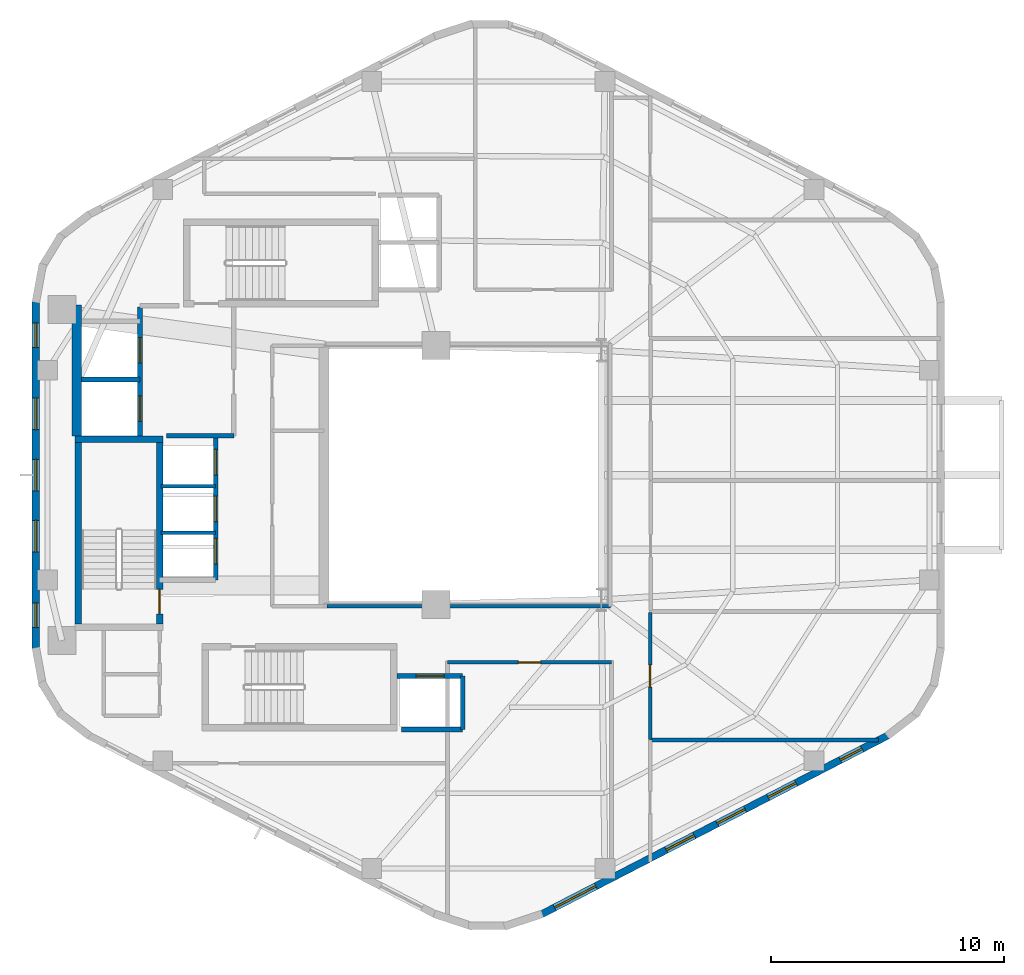
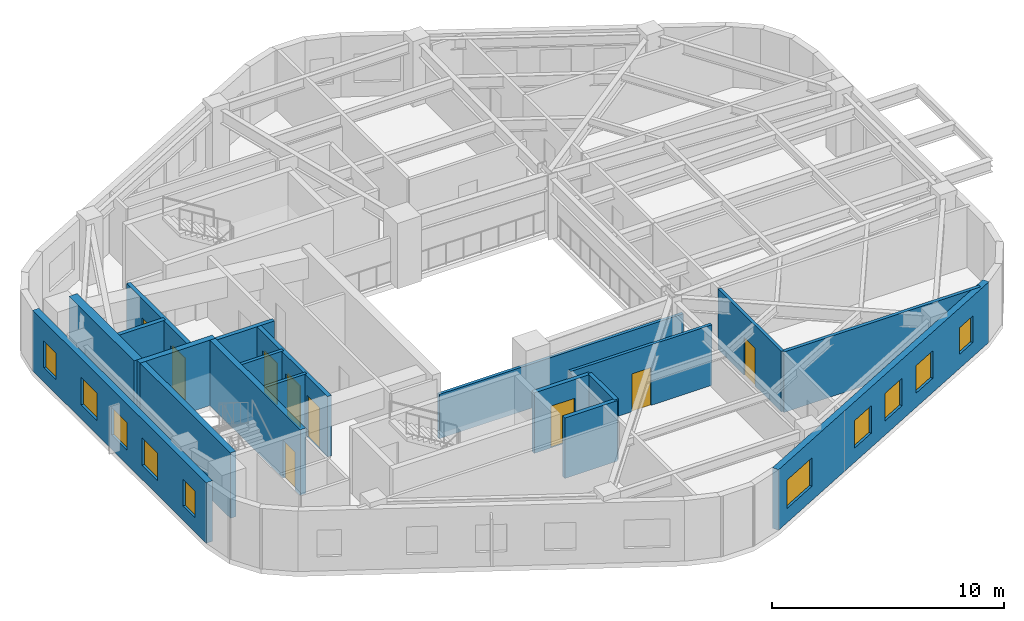
# One storey, part 3 of 6: 19 walls, 10 windows, 9 doors, 19 openings.
"""IFC4 building model written with IfcOpenShell, lengths in metres."""

from ifc_helpers import new_model, si_unit, direction, frame, frame_2d, origin, place, context, subcontext, project, spatial, rectangle, extrude, material, layer, layer_set, type_object, element, fill, save


model = new_model("IFC4")

# Units and contexts
model_context = context("Model", 3, precision=1e-05, world=origin(), true_north=direction((0.0, 1.0)))
body_context = subcontext(model_context, "Body", "Model", "MODEL_VIEW")
ifc_project = project(units=[si_unit("LENGTHUNIT", "METRE"), si_unit("AREAUNIT", "SQUARE_METRE"), si_unit("VOLUMEUNIT", "CUBIC_METRE"), si_unit("PLANEANGLEUNIT", "RADIAN"), si_unit("MASSUNIT", "GRAM", prefix="KILO"), si_unit("THERMODYNAMICTEMPERATUREUNIT", "KELVIN"), si_unit("POWERUNIT", "WATT")], contexts=[model_context])

# Site, building, storey
site_placement = place(None, origin())
site = spatial("IfcSite", under=ifc_project, at=site_placement, CompositionType="ELEMENT")
building_placement = place(site_placement, origin())
building = spatial("IfcBuilding", under=site, at=building_placement, Name="Skarre Station Tower", CompositionType="ELEMENT")
storey_placement = place(building_placement, frame((0.0, 0.0, 210.25)))
storey = spatial("IfcBuildingStorey", under=building, at=storey_placement, Name="L57", CompositionType="ELEMENT", Elevation=210.25)

# Wall
ifc_material_1 = material(Name="Acoustic Steel-Stud Gypsum Partition", Category="steel")
ifc_layer_1 = layer(ifc_material_1, 0.14990234375, Name="Acoustic Steel-Stud Gypsum Partition")
ifc_layer_set_1 = layer_set([ifc_layer_1], Name="Acoustic Steel-Stud Gypsum Partition")
wall_type_1 = type_object("IfcWallType", Name="Fire-Rated Corridor Acoustic Partition 150", PredefinedType="PARTITIONING", material=ifc_layer_set_1)
wall_1_placement = place(storey_placement, frame((27.675048828125, 18.360107421875, 0.0), z_axis=(0.0, 0.0, 1.0), x_axis=(1.0, 0.0, 0.0)))
element("IfcWall", 1, at=wall_1_placement, inside=storey, type_object=wall_type_1, Name="L57 Interior Partition WL-PT-L57-ATRW-S", PredefinedType="PARTITIONING", context=body_context, shape_type="SweptSolid", body=[
    extrude(rectangle(XDim=12.1650390625, YDim=0.14990234375, at=frame_2d((6.08251953125, 0.0))), origin(), (0.0, 0.0, 1.0), 2.3310546875),
])

# Wall, opening, door
wall_2_placement = place(storey_placement, frame((32.85009765625, 15.9599609375, 0.0), z_axis=(0.0, 0.0, 1.0), x_axis=(1.0, 0.0, 0.0)))
wall_2 = element("IfcWall", 2, at=wall_2_placement, inside=storey, type_object=wall_type_1, Name="L57 Interior Partition WL-PT-L57-SWC1-CW", PredefinedType="PARTITIONING", context=body_context, shape_type="SweptSolid", body=[
    extrude(rectangle(XDim=7.02978515625, YDim=0.14990234375, at=frame_2d((3.514892578125, 0.0))), origin(), (0.0, 0.0, 1.0), 3.18994140625),
])
opening_1_placement = place(wall_2_placement, frame((3.034912109375, 0.0, 0.0)))
opening_1 = element("IfcOpeningElement", 3, at=opening_1_placement, cuts=wall_2, Name="Opening DR-FD60", PredefinedType="OPENING", context=body_context, shape_type="SweptSolid", body=[
    extrude(rectangle(XDim=0.9599609375, YDim=2.0, at=frame_2d((0.47998046875, 1.0))), frame((0.0, 0.0849609375, 0.0), z_axis=(0.0, -1.0, 0.0), x_axis=(1.0, 0.0, 0.0)), (0.0, 0.0, 1.0), 0.169921875),
])
ifc_material_2 = material(Name="Nordic White-Oak Veneer Solid-Core Fire Leaf", Category="wood")
door_type_1 = type_object("IfcDoorType", Name="Corridor Suite Entry Fire Door FD60 960x2150", OperationType="SINGLE_SWING_LEFT", PredefinedType="DOOR", material=ifc_material_2)
door_1_placement = place(opening_1_placement, origin())
door_1 = element("IfcDoor", 4, at=door_1_placement, inside=storey, type_object=door_type_1, Name="L57 SWC1 Entry Door", OperationType="SINGLE_SWING_LEFT", OverallHeight=2.0, OverallWidth=0.9599609375, PredefinedType="DOOR", context=body_context, shape_type="SweptSolid", body=[
    extrude(rectangle(XDim=0.9599609375, YDim=2.0, at=frame_2d((0.47998046875, 1.0))), frame((0.0, 0.02490234375, 0.0), z_axis=(0.0, -1.0, 0.0), x_axis=(1.0, 0.0, 0.0)), (0.0, 0.0, 1.0), 0.050048828125),
])
fill(opening_1, door_1)

wall_3_placement = place(storey_placement, frame((41.5400390625, 12.653076171875, 0.0), z_axis=(0.0, 0.0, 1.0), x_axis=(0.0, 1.0, 0.0)))
wall_3 = element("IfcWall", 5, at=wall_3_placement, inside=storey, type_object=wall_type_1, Name="L57 Interior Partition WL-PT-L57-SW2-CW", PredefinedType="PARTITIONING", context=body_context, shape_type="SweptSolid", body=[
    extrude(rectangle(XDim=5.447021484375, YDim=0.14990234375, at=frame_2d((2.7236328125, 0.0))), origin(), (0.0, 0.0, 1.0), 3.18994140625),
])
opening_2_placement = place(wall_3_placement, frame((2.243896484375, 0.0, 0.0)))
opening_2 = element("IfcOpeningElement", 6, at=opening_2_placement, cuts=wall_3, Name="Opening DR-FD60", PredefinedType="OPENING", context=body_context, shape_type="SweptSolid", body=[
    extrude(rectangle(XDim=0.9599609375, YDim=2.0, at=frame_2d((0.47998046875, 1.0))), frame((0.0, 0.0849609375, 0.0), z_axis=(0.0, -1.0, 0.0), x_axis=(1.0, 0.0, 0.0)), (0.0, 0.0, 1.0), 0.169921875),
])
door_2_placement = place(opening_2_placement, origin())
door_2 = element("IfcDoor", 7, at=door_2_placement, inside=storey, type_object=door_type_1, Name="L57 SW2 Entry Door", OperationType="SINGLE_SWING_LEFT", OverallHeight=2.0, OverallWidth=0.9599609375, PredefinedType="DOOR", context=body_context, shape_type="SweptSolid", body=[
    extrude(rectangle(XDim=0.9599609375, YDim=2.0, at=frame_2d((0.47998046875, 1.0))), frame((0.0, 0.02490234375, 0.0), z_axis=(0.0, -1.0, 0.0), x_axis=(1.0, 0.0, 0.0)), (0.0, 0.0, 1.0), 0.050048828125),
])
fill(opening_2, door_2)

# Wall, openings, windows
ifc_material_3 = material(Name="Precast concrete C45/55", Category="concrete")
ifc_layer_2 = layer(ifc_material_3, 0.31005859375, Name="Precast concrete C45/55")
ifc_layer_set_2 = layer_set([ifc_layer_2], Name="Precast concrete C45/55")
wall_type_2 = type_object("IfcWallType", Name="Nordic Upper-Zone Precast Facet Wall 310", PredefinedType="STANDARD", material=ifc_layer_set_2)
wall_4_placement = place(storey_placement, frame((15.18310546875, 16.498046875, 0.0), z_axis=(0.0, 0.0, 1.0), x_axis=(0.0, 1.0, 0.0)))
wall_4 = element("IfcWall", 8, at=wall_4_placement, inside=storey, type_object=wall_type_2, Name="L57 Facet 2 Nordic Precast Masonry Wall", PredefinedType="STANDARD", context=body_context, shape_type="SweptSolid", body=[
    extrude(rectangle(XDim=15.00390625, YDim=0.31005859375, at=frame_2d((7.501953125, 0.0))), origin(), (0.0, 0.0, 1.0), 3.18994140625),
])
opening_3_placement = place(wall_4_placement, frame((0.968017578125, 0.0, 0.75)))
opening_3 = element("IfcOpeningElement", 9, at=opening_3_placement, cuts=wall_4, Name="Opening WN-SLT", PredefinedType="OPENING", context=body_context, shape_type="SweptSolid", body=[
    extrude(rectangle(XDim=1.050048828125, YDim=1.39990234375, at=frame_2d((0.52490234375, 0.699951171875))), frame((0.0, 0.1650390625, 0.0), z_axis=(0.0, -1.0, 0.0), x_axis=(1.0, 0.0, 0.0)), (0.0, 0.0, 1.0), 0.330078125),
])
opening_4_placement = place(wall_4_placement, frame((4.202880859375, 0.0, 0.75)))
opening_4 = element("IfcOpeningElement", 10, at=opening_4_placement, cuts=wall_4, Name="Opening WN-Z3B", PredefinedType="OPENING", context=body_context, shape_type="SweptSolid", body=[
    extrude(rectangle(XDim=1.35009765625, YDim=1.449951171875, at=frame_2d((0.675048828125, 0.72509765625))), frame((0.0, 0.1650390625, 0.0), z_axis=(0.0, -1.0, 0.0), x_axis=(1.0, 0.0, 0.0)), (0.0, 0.0, 1.0), 0.330078125),
])
opening_5_placement = place(wall_4_placement, frame((6.826904296875, 0.0, 0.75)))
opening_5 = element("IfcOpeningElement", 11, at=opening_5_placement, cuts=wall_4, Name="Opening WN-Z3B", PredefinedType="OPENING", context=body_context, shape_type="SweptSolid", body=[
    extrude(rectangle(XDim=1.35009765625, YDim=1.449951171875, at=frame_2d((0.675048828125, 0.72509765625))), frame((0.0, 0.1650390625, 0.0), z_axis=(0.0, -1.0, 0.0), x_axis=(1.0, 0.0, 0.0)), (0.0, 0.0, 1.0), 0.330078125),
])
opening_6_placement = place(wall_4_placement, frame((9.450927734375, 0.0, 0.75)))
opening_6 = element("IfcOpeningElement", 12, at=opening_6_placement, cuts=wall_4, Name="Opening WN-Z3B", PredefinedType="OPENING", context=body_context, shape_type="SweptSolid", body=[
    extrude(rectangle(XDim=1.35009765625, YDim=1.449951171875, at=frame_2d((0.675048828125, 0.72509765625))), frame((0.0, 0.1650390625, 0.0), z_axis=(0.0, -1.0, 0.0), x_axis=(1.0, 0.0, 0.0)), (0.0, 0.0, 1.0), 0.330078125),
])
opening_7_placement = place(wall_4_placement, frame((12.986083984375, 0.0, 0.75)))
opening_7 = element("IfcOpeningElement", 13, at=opening_7_placement, cuts=wall_4, Name="Opening WN-SLT", PredefinedType="OPENING", context=body_context, shape_type="SweptSolid", body=[
    extrude(rectangle(XDim=1.050048828125, YDim=1.39990234375, at=frame_2d((0.52490234375, 0.699951171875))), frame((0.0, 0.1650390625, 0.0), z_axis=(0.0, -1.0, 0.0), x_axis=(1.0, 0.0, 0.0)), (0.0, 0.0, 1.0), 0.330078125),
])
ifc_material_4 = material(Name="Low-Iron Triple Glazing with Bronze Anodized Frame", Category="glass")
window_type_1 = type_object("IfcWindowType", Name="Nordic Corner Slot Window 1050x1400", PartitioningType="SINGLE_PANEL", PredefinedType="WINDOW", material=ifc_material_4)
window_1_placement = place(opening_3_placement, origin())
window_1 = element("IfcWindow", 14, at=window_1_placement, inside=storey, type_object=window_type_1, Name="L57 Facade Window WL-FAC-L57-F2-1", OverallHeight=1.39990234375, OverallWidth=1.050048828125, PartitioningType="SINGLE_PANEL", PredefinedType="WINDOW", context=body_context, shape_type="SweptSolid", body=[
    extrude(rectangle(XDim=1.050048828125, YDim=1.39990234375, at=frame_2d((0.52490234375, 0.699951171875))), frame((0.0, 0.030029296875, 0.0), z_axis=(0.0, -1.0, 0.0), x_axis=(1.0, 0.0, 0.0)), (0.0, 0.0, 1.0), 0.06005859375),
])
fill(opening_3, window_1)
window_2_placement = place(opening_7_placement, origin())
window_2 = element("IfcWindow", 15, at=window_2_placement, inside=storey, type_object=window_type_1, Name="L57 Facade Window WL-FAC-L57-F2-5", OverallHeight=1.39990234375, OverallWidth=1.050048828125, PartitioningType="SINGLE_PANEL", PredefinedType="WINDOW", context=body_context, shape_type="SweptSolid", body=[
    extrude(rectangle(XDim=1.050048828125, YDim=1.39990234375, at=frame_2d((0.52490234375, 0.699951171875))), frame((0.0, 0.030029296875, 0.0), z_axis=(0.0, -1.0, 0.0), x_axis=(1.0, 0.0, 0.0)), (0.0, 0.0, 1.0), 0.06005859375),
])
fill(opening_7, window_2)
window_type_2 = type_object("IfcWindowType", Name="Nordic Hospitality Narrow Window 1350x1450", PartitioningType="SINGLE_PANEL", PredefinedType="WINDOW", material=ifc_material_4)
window_3_placement = place(opening_4_placement, origin())
window_3 = element("IfcWindow", 16, at=window_3_placement, inside=storey, type_object=window_type_2, Name="L57 Facade Window WL-FAC-L57-F2-2", OverallHeight=1.449951171875, OverallWidth=1.35009765625, PartitioningType="SINGLE_PANEL", PredefinedType="WINDOW", context=body_context, shape_type="SweptSolid", body=[
    extrude(rectangle(XDim=1.35009765625, YDim=1.449951171875, at=frame_2d((0.675048828125, 0.72509765625))), frame((0.0, 0.030029296875, 0.0), z_axis=(0.0, -1.0, 0.0), x_axis=(1.0, 0.0, 0.0)), (0.0, 0.0, 1.0), 0.06005859375),
])
fill(opening_4, window_3)
window_4_placement = place(opening_5_placement, origin())
window_4 = element("IfcWindow", 17, at=window_4_placement, inside=storey, type_object=window_type_2, Name="L57 Facade Window WL-FAC-L57-F2-3", OverallHeight=1.449951171875, OverallWidth=1.35009765625, PartitioningType="SINGLE_PANEL", PredefinedType="WINDOW", context=body_context, shape_type="SweptSolid", body=[
    extrude(rectangle(XDim=1.35009765625, YDim=1.449951171875, at=frame_2d((0.675048828125, 0.72509765625))), frame((0.0, 0.030029296875, 0.0), z_axis=(0.0, -1.0, 0.0), x_axis=(1.0, 0.0, 0.0)), (0.0, 0.0, 1.0), 0.06005859375),
])
fill(opening_5, window_4)
window_5_placement = place(opening_6_placement, origin())
window_5 = element("IfcWindow", 18, at=window_5_placement, inside=storey, type_object=window_type_2, Name="L57 Facade Window WL-FAC-L57-F2-4", OverallHeight=1.449951171875, OverallWidth=1.35009765625, PartitioningType="SINGLE_PANEL", PredefinedType="WINDOW", context=body_context, shape_type="SweptSolid", body=[
    extrude(rectangle(XDim=1.35009765625, YDim=1.449951171875, at=frame_2d((0.675048828125, 0.72509765625))), frame((0.0, 0.030029296875, 0.0), z_axis=(0.0, -1.0, 0.0), x_axis=(1.0, 0.0, 0.0)), (0.0, 0.0, 1.0), 0.06005859375),
])
fill(opening_6, window_5)

wall_5_placement = place(storey_placement, frame((51.7919921875, 12.846923828125, 0.0), z_axis=(0.0, 0.0, 1.0), x_axis=(-0.888626188278, -0.458632202867, 0.0)))
wall_5 = element("IfcWall", 19, at=wall_5_placement, inside=storey, type_object=wall_type_2, Name="L57 Facet 4 Nordic Precast Masonry Wall", PredefinedType="STANDARD", context=body_context, shape_type="SweptSolid", body=[
    extrude(rectangle(XDim=16.828369140625, YDim=0.31005859375, at=frame_2d((8.4140625, 0.0))), origin(), (0.0, 0.0, 1.0), 3.18994140625),
])
opening_8_placement = place(wall_5_placement, frame((1.300048828125, 0.0, 0.75)))
opening_8 = element("IfcOpeningElement", 20, at=opening_8_placement, cuts=wall_5, Name="Opening WN-SLT", PredefinedType="OPENING", context=body_context, shape_type="SweptSolid", body=[
    extrude(rectangle(XDim=1.050048828125, YDim=1.39990234375, at=frame_2d((0.52490234375, 0.699951171875))), frame((0.0, 0.1650390625, 0.0), z_axis=(0.0, -1.0, 0.0), x_axis=(1.0, 0.0, 0.0)), (0.0, 0.0, 1.0), 0.330078125),
])
opening_9_placement = place(wall_5_placement, frame((4.486083984375, 0.0, 0.75)))
opening_9 = element("IfcOpeningElement", 21, at=opening_9_placement, cuts=wall_5, Name="Opening WN-Z3B", PredefinedType="OPENING", context=body_context, shape_type="SweptSolid", body=[
    extrude(rectangle(XDim=1.35009765625, YDim=1.449951171875, at=frame_2d((0.675048828125, 0.72509765625))), frame((0.0, 0.1650390625, 0.0), z_axis=(0.0, -1.0, 0.0), x_axis=(1.0, 0.0, 0.0)), (0.0, 0.0, 1.0), 0.330078125),
])
opening_10_placement = place(wall_5_placement, frame((6.946044921875, 0.0, 0.75)))
opening_10 = element("IfcOpeningElement", 22, at=opening_10_placement, cuts=wall_5, Name="Opening WN-Z3B", PredefinedType="OPENING", context=body_context, shape_type="SweptSolid", body=[
    extrude(rectangle(XDim=1.35009765625, YDim=1.449951171875, at=frame_2d((0.675048828125, 0.72509765625))), frame((0.0, 0.1650390625, 0.0), z_axis=(0.0, -1.0, 0.0), x_axis=(1.0, 0.0, 0.0)), (0.0, 0.0, 1.0), 0.330078125),
])
opening_11_placement = place(wall_5_placement, frame((9.406005859375, 0.0, 0.75)))
opening_11 = element("IfcOpeningElement", 23, at=opening_11_placement, cuts=wall_5, Name="Opening WN-Z3B", PredefinedType="OPENING", context=body_context, shape_type="SweptSolid", body=[
    extrude(rectangle(XDim=1.35009765625, YDim=1.449951171875, at=frame_2d((0.675048828125, 0.72509765625))), frame((0.0, 0.1650390625, 0.0), z_axis=(0.0, -1.0, 0.0), x_axis=(1.0, 0.0, 0.0)), (0.0, 0.0, 1.0), 0.330078125),
])
opening_12_placement = place(wall_5_placement, frame((14.153076171875, 0.0, 0.75)))
opening_12 = element("IfcOpeningElement", 24, at=opening_12_placement, cuts=wall_5, Name="Opening WN-Z3A", PredefinedType="OPENING", context=body_context, shape_type="SweptSolid", body=[
    extrude(rectangle(XDim=2.0, YDim=1.5, at=frame_2d((1.0, 0.75))), frame((0.0, 0.1650390625, 0.0), z_axis=(0.0, -1.0, 0.0), x_axis=(1.0, 0.0, 0.0)), (0.0, 0.0, 1.0), 0.330078125),
])
window_6_placement = place(opening_8_placement, origin())
window_6 = element("IfcWindow", 25, at=window_6_placement, inside=storey, type_object=window_type_1, Name="L57 Facade Window WL-FAC-L57-F4-1", OverallHeight=1.39990234375, OverallWidth=1.050048828125, PartitioningType="SINGLE_PANEL", PredefinedType="WINDOW", context=body_context, shape_type="SweptSolid", body=[
    extrude(rectangle(XDim=1.050048828125, YDim=1.39990234375, at=frame_2d((0.52490234375, 0.699951171875))), frame((0.0, 0.030029296875, 0.0), z_axis=(0.0, -1.0, 0.0), x_axis=(1.0, 0.0, 0.0)), (0.0, 0.0, 1.0), 0.06005859375),
])
fill(opening_8, window_6)
window_7_placement = place(opening_9_placement, origin())
window_7 = element("IfcWindow", 26, at=window_7_placement, inside=storey, type_object=window_type_2, Name="L57 Facade Window WL-FAC-L57-F4-2", OverallHeight=1.449951171875, OverallWidth=1.35009765625, PartitioningType="SINGLE_PANEL", PredefinedType="WINDOW", context=body_context, shape_type="SweptSolid", body=[
    extrude(rectangle(XDim=1.35009765625, YDim=1.449951171875, at=frame_2d((0.675048828125, 0.72509765625))), frame((0.0, 0.030029296875, 0.0), z_axis=(0.0, -1.0, 0.0), x_axis=(1.0, 0.0, 0.0)), (0.0, 0.0, 1.0), 0.06005859375),
])
fill(opening_9, window_7)
window_8_placement = place(opening_10_placement, origin())
window_8 = element("IfcWindow", 27, at=window_8_placement, inside=storey, type_object=window_type_2, Name="L57 Facade Window WL-FAC-L57-F4-3", OverallHeight=1.449951171875, OverallWidth=1.35009765625, PartitioningType="SINGLE_PANEL", PredefinedType="WINDOW", context=body_context, shape_type="SweptSolid", body=[
    extrude(rectangle(XDim=1.35009765625, YDim=1.449951171875, at=frame_2d((0.675048828125, 0.72509765625))), frame((0.0, 0.030029296875, 0.0), z_axis=(0.0, -1.0, 0.0), x_axis=(1.0, 0.0, 0.0)), (0.0, 0.0, 1.0), 0.06005859375),
])
fill(opening_10, window_8)
window_9_placement = place(opening_11_placement, origin())
window_9 = element("IfcWindow", 28, at=window_9_placement, inside=storey, type_object=window_type_2, Name="L57 Facade Window WL-FAC-L57-F4-4", OverallHeight=1.449951171875, OverallWidth=1.35009765625, PartitioningType="SINGLE_PANEL", PredefinedType="WINDOW", context=body_context, shape_type="SweptSolid", body=[
    extrude(rectangle(XDim=1.35009765625, YDim=1.449951171875, at=frame_2d((0.675048828125, 0.72509765625))), frame((0.0, 0.030029296875, 0.0), z_axis=(0.0, -1.0, 0.0), x_axis=(1.0, 0.0, 0.0)), (0.0, 0.0, 1.0), 0.06005859375),
])
fill(opening_11, window_9)
window_type_3 = type_object("IfcWindowType", Name="Nordic Hospitality Window 2000x1500", PartitioningType="SINGLE_PANEL", PredefinedType="WINDOW", material=ifc_material_4)
window_10_placement = place(opening_12_placement, origin())
window_10 = element("IfcWindow", 29, at=window_10_placement, inside=storey, type_object=window_type_3, Name="L57 Facade Window WL-FAC-L57-F4-5", OverallHeight=1.5, OverallWidth=2.0, PartitioningType="SINGLE_PANEL", PredefinedType="WINDOW", context=body_context, shape_type="SweptSolid", body=[
    extrude(rectangle(XDim=2.0, YDim=1.5, at=frame_2d((1.0, 0.75))), frame((0.0, 0.030029296875, 0.0), z_axis=(0.0, -1.0, 0.0), x_axis=(1.0, 0.0, 0.0)), (0.0, 0.0, 1.0), 0.06005859375),
])
fill(opening_12, window_10)

# Walls
ifc_material_5 = material(Name="Concrete C50/60", Category="concrete")
ifc_layer_3 = layer(ifc_material_5, 0.280029296875, Name="Concrete C50/60")
ifc_layer_set_3 = layer_set([ifc_layer_3], Name="Concrete C50/60")
wall_type_3 = type_object("IfcWallType", Name="RC Core Shear Wall 280", PredefinedType="SHEAR", material=ifc_layer_set_3)
wall_6_placement = place(storey_placement, frame((20.6298828125, 25.5400390625, 0.0), z_axis=(0.0, 0.0, 1.0), x_axis=(-1.0, 0.0, 0.0)))
element("IfcWall", 30, at=wall_6_placement, inside=storey, type_object=wall_type_3, Name="L57 Stair ST-1 North Shear Wall", PredefinedType="SHEAR", context=body_context, shape_type="SweptSolid", body=[
    extrude(rectangle(XDim=3.759765625, YDim=0.280029296875, at=frame_2d((1.8798828125, 0.0))), origin(), (0.0, 0.0, 1.0), 3.449951171875),
])
wall_7_placement = place(storey_placement, frame((17.010009765625, 25.39990234375, 0.0), z_axis=(0.0, 0.0, 1.0), x_axis=(0.0, -1.0, 0.0)))
element("IfcWall", 31, at=wall_7_placement, inside=storey, type_object=wall_type_3, Name="L57 Stair ST-1 West Shear Wall", PredefinedType="SHEAR", context=body_context, shape_type="SweptSolid", body=[
    extrude(rectangle(XDim=7.7998046875, YDim=0.280029296875, at=frame_2d((3.89990234375, 0.0))), origin(), (0.0, 0.0, 1.0), 3.449951171875),
])

# Wall, opening, door
wall_8_placement = place(storey_placement, frame((20.489990234375, 17.60009765625, 0.0), z_axis=(0.0, 0.0, 1.0), x_axis=(0.0, 1.0, 0.0)))
wall_8 = element("IfcWall", 32, at=wall_8_placement, inside=storey, type_object=wall_type_3, Name="L57 Stair ST-1 East Shear Wall", PredefinedType="SHEAR", context=body_context, shape_type="SweptSolid", body=[
    extrude(rectangle(XDim=7.7998046875, YDim=0.280029296875, at=frame_2d((3.89990234375, 0.0))), origin(), (0.0, 0.0, 1.0), 3.449951171875),
])
opening_13_placement = place(wall_8_placement, frame((0.43994140625, 0.0, 0.0)))
opening_13 = element("IfcOpeningElement", 33, at=opening_13_placement, cuts=wall_8, Name="Opening DR-FD90", PredefinedType="OPENING", context=body_context, shape_type="SweptSolid", body=[
    extrude(rectangle(XDim=1.050048828125, YDim=2.0, at=frame_2d((0.52490234375, 1.0))), frame((0.0, 0.14990234375, 0.0), z_axis=(0.0, -1.0, 0.0), x_axis=(1.0, 0.0, 0.0)), (0.0, 0.0, 1.0), 0.300048828125),
])
ifc_material_6 = material(Name="Fire-Rated Insulated Steel Frame & Timber Core Leaf", Category="steel")
door_type_2 = type_object("IfcDoorType", Name="Stair & FSAE Lobby Fire Door FD90 1050x2150", OperationType="SINGLE_SWING_RIGHT", PredefinedType="DOOR", material=ifc_material_6)
door_3_placement = place(opening_13_placement, origin())
door_3 = element("IfcDoor", 34, at=door_3_placement, inside=storey, type_object=door_type_2, Name="L57 Stair ST-1 Exit Door", OperationType="SINGLE_SWING_RIGHT", OverallHeight=2.0, OverallWidth=1.050048828125, PredefinedType="DOOR", context=body_context, shape_type="SweptSolid", body=[
    extrude(rectangle(XDim=1.050048828125, YDim=2.0, at=frame_2d((0.52490234375, 1.0))), frame((0.0, 0.02490234375, 0.0), z_axis=(0.0, -1.0, 0.0), x_axis=(1.0, 0.0, 0.0)), (0.0, 0.0, 1.0), 0.050048828125),
])
fill(opening_13, door_3)

# Wall
ifc_material_7 = material(Name="Concrete C60/75", Category="concrete")
ifc_layer_4 = layer(ifc_material_7, 0.419921875, Name="Concrete C60/75")
ifc_layer_set_4 = layer_set([ifc_layer_4], Name="Concrete C60/75")
wall_type_4 = type_object("IfcWallType", Name="RC Core Shear Wall 420", PredefinedType="SHEAR", material=ifc_layer_set_4)
wall_9_placement = place(storey_placement, frame((16.93994140625, 25.679931640625, 0.0), z_axis=(0.0, 0.0, 1.0), x_axis=(0.0, 1.0, 0.0)))
element("IfcWall", 35, at=wall_9_placement, inside=storey, type_object=wall_type_4, Name="L57 Core West-North Shear Wall", PredefinedType="SHEAR", context=body_context, shape_type="SweptSolid", body=[
    extrude(rectangle(XDim=5.6201171875, YDim=0.419921875, at=frame_2d((2.81005859375, 0.0))), origin(), (0.0, 0.0, 1.0), 3.449951171875),
])

# Wall, openings, doors
ifc_material_8 = material(Name="Gypsum Concrete Shaft Assembly C30/37", Category="concrete")
ifc_layer_5 = layer(ifc_material_8, 0.199951171875, Name="Gypsum Concrete Shaft Assembly C30/37")
ifc_layer_set_5 = layer_set([ifc_layer_5], Name="Gypsum Concrete Shaft Assembly C30/37")
wall_type_5 = type_object("IfcWallType", Name="Shaft & Core Fire Partition 200", PredefinedType="PARTITIONING", material=ifc_layer_set_5)
wall_10_placement = place(storey_placement, frame((19.64990234375, 25.679931640625, 0.0), z_axis=(0.0, 0.0, 1.0), x_axis=(0.0, 1.0, 0.0)))
wall_10 = element("IfcWall", 36, at=wall_10_placement, inside=storey, type_object=wall_type_5, Name="L57 Interior Partition WL-PT-L57-FSAE-W", PredefinedType="PARTITIONING", context=body_context, shape_type="SweptSolid", body=[
    extrude(rectangle(XDim=5.5400390625, YDim=0.199951171875, at=frame_2d((2.77001953125, 0.0))), origin(), (0.0, 0.0, 1.0), 3.18994140625),
])
opening_14_placement = place(wall_10_placement, frame((0.6201171875, 0.0, 0.0)))
opening_14 = element("IfcOpeningElement", 37, at=opening_14_placement, cuts=wall_10, Name="Opening LD-FF1", PredefinedType="OPENING", context=body_context, shape_type="SweptSolid", body=[
    extrude(rectangle(XDim=1.10009765625, YDim=2.199951171875, at=frame_2d((0.550048828125, 1.10009765625))), frame((0.0, 0.10986328125, 0.0), z_axis=(0.0, -1.0, 0.0), x_axis=(1.0, 0.0, 0.0)), (0.0, 0.0, 1.0), 0.219970703125),
])
opening_15_placement = place(wall_10_placement, frame((3.1201171875, 0.0, 0.0)))
opening_15 = element("IfcOpeningElement", 38, at=opening_15_placement, cuts=wall_10, Name="Opening LD-FF2", PredefinedType="OPENING", context=body_context, shape_type="SweptSolid", body=[
    extrude(rectangle(XDim=1.10009765625, YDim=2.199951171875, at=frame_2d((0.550048828125, 1.10009765625))), frame((0.0, 0.10986328125, 0.0), z_axis=(0.0, -1.0, 0.0), x_axis=(1.0, 0.0, 0.0)), (0.0, 0.0, 1.0), 0.219970703125),
])
ifc_material_9 = material(Name="Fire-Rated Stainless Steel Grade 316L Sliding Leaves", Category="steel")
door_type_3 = type_object("IfcDoorType", Name="Fire Service Access Elevator Sliding Landing Door 1100x2200", OperationType="SLIDING_TO_LEFT", PredefinedType="DOOR", material=ifc_material_9)
door_4_placement = place(opening_14_placement, origin())
door_4 = element("IfcDoor", 39, at=door_4_placement, inside=storey, type_object=door_type_3, Name="L57 Firefighting Lift LF-FF1 Landing Door", OperationType="SLIDING_TO_LEFT", OverallHeight=2.199951171875, OverallWidth=1.10009765625, PredefinedType="DOOR", context=body_context, shape_type="SweptSolid", body=[
    extrude(rectangle(XDim=1.10009765625, YDim=2.199951171875, at=frame_2d((0.550048828125, 1.10009765625))), frame((0.0, 0.02490234375, 0.0), z_axis=(0.0, -1.0, 0.0), x_axis=(1.0, 0.0, 0.0)), (0.0, 0.0, 1.0), 0.050048828125),
])
fill(opening_14, door_4)
door_5_placement = place(opening_15_placement, origin())
door_5 = element("IfcDoor", 40, at=door_5_placement, inside=storey, type_object=door_type_3, Name="L57 Firefighting Lift LF-FF2 Landing Door", OperationType="SLIDING_TO_LEFT", OverallHeight=2.199951171875, OverallWidth=1.10009765625, PredefinedType="DOOR", context=body_context, shape_type="SweptSolid", body=[
    extrude(rectangle(XDim=1.10009765625, YDim=2.199951171875, at=frame_2d((0.550048828125, 1.10009765625))), frame((0.0, 0.02490234375, 0.0), z_axis=(0.0, -1.0, 0.0), x_axis=(1.0, 0.0, 0.0)), (0.0, 0.0, 1.0), 0.050048828125),
])
fill(opening_15, door_5)

# Walls
wall_11_placement = place(storey_placement, frame((20.79296875, 25.679931640625, 0.0), z_axis=(0.0, 0.0, 1.0), x_axis=(1.0, 0.0, 0.0)))
element("IfcWall", 41, at=wall_11_placement, inside=storey, type_object=wall_type_5, Name="L57 Interior Partition WL-PT-L57-FSAE-S", PredefinedType="PARTITIONING", context=body_context, shape_type="SweptSolid", body=[
    extrude(rectangle(XDim=2.886962890625, YDim=0.199951171875, at=frame_2d((1.443359375, 0.0))), origin(), (0.0, 0.0, 1.0), 3.18994140625),
])
wall_12_placement = place(storey_placement, frame((17.14990234375, 28.10009765625, 0.0), z_axis=(0.0, 0.0, 1.0), x_axis=(1.0, 0.0, 0.0)))
element("IfcWall", 42, at=wall_12_placement, inside=storey, type_object=wall_type_5, Name="L57 Interior Partition WL-PT-L57-FF-DIV", PredefinedType="PARTITIONING", context=body_context, shape_type="SweptSolid", body=[
    extrude(rectangle(XDim=2.5, YDim=0.199951171875, at=frame_2d((1.25, 0.0))), origin(), (0.0, 0.0, 1.0), 3.18994140625),
])

# Wall, opening, door
wall_13_placement = place(storey_placement, frame((33.5, 15.3798828125, 0.0), z_axis=(0.0, 0.0, 1.0), x_axis=(-1.0, 0.0, 0.0)))
wall_13 = element("IfcWall", 43, at=wall_13_placement, inside=storey, type_object=wall_type_5, Name="L57 Interior Partition WL-PT-L57-SV1-N", PredefinedType="PARTITIONING", context=body_context, shape_type="SweptSolid", body=[
    extrude(rectangle(XDim=2.820068359375, YDim=0.199951171875, at=frame_2d((1.41015625, 0.0))), origin(), (0.0, 0.0, 1.0), 3.18994140625),
])
opening_16_placement = place(wall_13_placement, frame((0.800048828125, 0.0, 0.0)))
opening_16 = element("IfcOpeningElement", 44, at=opening_16_placement, cuts=wall_13, Name="Opening LD-SV1", PredefinedType="OPENING", context=body_context, shape_type="SweptSolid", body=[
    extrude(rectangle(XDim=1.199951171875, YDim=2.199951171875, at=frame_2d((0.60009765625, 1.10009765625))), frame((0.0, 0.10986328125, 0.0), z_axis=(0.0, -1.0, 0.0), x_axis=(1.0, 0.0, 0.0)), (0.0, 0.0, 1.0), 0.219970703125),
])
ifc_material_10 = material(Name="Heavy-Gauge Brushed Stainless Steel Sliding Leaves", Category="steel")
door_type_4 = type_object("IfcDoorType", Name="Service Elevator Wide Sliding Landing Door 1200x2200", OperationType="SLIDING_TO_RIGHT", PredefinedType="DOOR", material=ifc_material_10)
door_6_placement = place(opening_16_placement, origin())
door_6 = element("IfcDoor", 45, at=door_6_placement, inside=storey, type_object=door_type_4, Name="L57 Service Lift LF-SV1 Landing Door", OperationType="SLIDING_TO_RIGHT", OverallHeight=2.199951171875, OverallWidth=1.199951171875, PredefinedType="DOOR", context=body_context, shape_type="SweptSolid", body=[
    extrude(rectangle(XDim=1.199951171875, YDim=2.199951171875, at=frame_2d((0.60009765625, 1.10009765625))), frame((0.0, 0.02490234375, 0.0), z_axis=(0.0, -1.0, 0.0), x_axis=(1.0, 0.0, 0.0)), (0.0, 0.0, 1.0), 0.050048828125),
])
fill(opening_16, door_6)

# Walls
wall_14_placement = place(storey_placement, frame((33.5, 13.080078125, 0.0), z_axis=(0.0, 0.0, 1.0), x_axis=(0.0, 1.0, 0.0)))
element("IfcWall", 46, at=wall_14_placement, inside=storey, type_object=wall_type_5, Name="L57 Interior Partition WL-PT-L57-SV1-E", PredefinedType="PARTITIONING", context=body_context, shape_type="SweptSolid", body=[
    extrude(rectangle(XDim=2.2998046875, YDim=0.199951171875, at=frame_2d((1.14990234375, 0.0))), origin(), (0.0, 0.0, 1.0), 3.18994140625),
])
wall_15_placement = place(storey_placement, frame((30.87890625, 13.080078125, 0.0), z_axis=(0.0, 0.0, 1.0), x_axis=(1.0, 0.0, 0.0)))
element("IfcWall", 47, at=wall_15_placement, inside=storey, type_object=wall_type_5, Name="L57 Interior Partition WL-PT-L57-SV1-S", PredefinedType="PARTITIONING", context=body_context, shape_type="SweptSolid", body=[
    extrude(rectangle(XDim=2.62109375, YDim=0.199951171875, at=frame_2d((1.310546875, 0.0))), origin(), (0.0, 0.0, 1.0), 3.18994140625),
])

# Wall, openings, doors
wall_16_placement = place(storey_placement, frame((22.89990234375, 19.5, 0.0), z_axis=(0.0, 0.0, 1.0), x_axis=(0.0, 1.0, 0.0)))
wall_16 = element("IfcWall", 48, at=wall_16_placement, inside=storey, type_object=wall_type_5, Name="L57 Interior Partition WL-PT-L57-B3-E", PredefinedType="PARTITIONING", context=body_context, shape_type="SweptSolid", body=[
    extrude(rectangle(XDim=6.0849609375, YDim=0.199951171875, at=frame_2d((3.04248046875, 0.0))), origin(), (0.0, 0.0, 1.0), 3.18994140625),
])
opening_17_placement = place(wall_16_placement, frame((0.679931640625, 0.0, 0.0)))
opening_17 = element("IfcOpeningElement", 49, at=opening_17_placement, cuts=wall_16, Name="Opening LD-P7", PredefinedType="OPENING", context=body_context, shape_type="SweptSolid", body=[
    extrude(rectangle(XDim=1.10009765625, YDim=2.199951171875, at=frame_2d((0.550048828125, 1.10009765625))), frame((0.0, 0.10986328125, 0.0), z_axis=(0.0, -1.0, 0.0), x_axis=(1.0, 0.0, 0.0)), (0.0, 0.0, 1.0), 0.219970703125),
])
opening_18_placement = place(wall_16_placement, frame((2.5, 0.0, 0.0)))
opening_18 = element("IfcOpeningElement", 50, at=opening_18_placement, cuts=wall_16, Name="Opening LD-P8", PredefinedType="OPENING", context=body_context, shape_type="SweptSolid", body=[
    extrude(rectangle(XDim=1.10009765625, YDim=2.199951171875, at=frame_2d((0.550048828125, 1.10009765625))), frame((0.0, 0.10986328125, 0.0), z_axis=(0.0, -1.0, 0.0), x_axis=(1.0, 0.0, 0.0)), (0.0, 0.0, 1.0), 0.219970703125),
])
opening_19_placement = place(wall_16_placement, frame((4.5, 0.0, 0.0)))
opening_19 = element("IfcOpeningElement", 51, at=opening_19_placement, cuts=wall_16, Name="Opening LD-P9", PredefinedType="OPENING", context=body_context, shape_type="SweptSolid", body=[
    extrude(rectangle(XDim=1.10009765625, YDim=2.199951171875, at=frame_2d((0.550048828125, 1.10009765625))), frame((0.0, 0.10986328125, 0.0), z_axis=(0.0, -1.0, 0.0), x_axis=(1.0, 0.0, 0.0)), (0.0, 0.0, 1.0), 0.219970703125),
])
ifc_material_11 = material(Name="Brushed Bronze Stainless Steel Sliding Leaves", Category="steel")
door_type_5 = type_object("IfcDoorType", Name="Passenger Elevator Center-Parting Sliding Door 1100x2200", OperationType="SLIDING_TO_LEFT", PredefinedType="DOOR", material=ifc_material_11)
door_7_placement = place(opening_17_placement, origin())
door_7 = element("IfcDoor", 52, at=door_7_placement, inside=storey, type_object=door_type_5, Name="L57 Passenger Lift LF-P7 Landing Door", OperationType="SLIDING_TO_LEFT", OverallHeight=2.199951171875, OverallWidth=1.10009765625, PredefinedType="DOOR", context=body_context, shape_type="SweptSolid", body=[
    extrude(rectangle(XDim=1.10009765625, YDim=2.199951171875, at=frame_2d((0.550048828125, 1.10009765625))), frame((0.0, 0.02490234375, 0.0), z_axis=(0.0, -1.0, 0.0), x_axis=(1.0, 0.0, 0.0)), (0.0, 0.0, 1.0), 0.050048828125),
])
fill(opening_17, door_7)
door_8_placement = place(opening_18_placement, origin())
door_8 = element("IfcDoor", 53, at=door_8_placement, inside=storey, type_object=door_type_5, Name="L57 Passenger Lift LF-P8 Landing Door", OperationType="SLIDING_TO_LEFT", OverallHeight=2.199951171875, OverallWidth=1.10009765625, PredefinedType="DOOR", context=body_context, shape_type="SweptSolid", body=[
    extrude(rectangle(XDim=1.10009765625, YDim=2.199951171875, at=frame_2d((0.550048828125, 1.10009765625))), frame((0.0, 0.02490234375, 0.0), z_axis=(0.0, -1.0, 0.0), x_axis=(1.0, 0.0, 0.0)), (0.0, 0.0, 1.0), 0.050048828125),
])
fill(opening_18, door_8)
door_9_placement = place(opening_19_placement, origin())
door_9 = element("IfcDoor", 54, at=door_9_placement, inside=storey, type_object=door_type_5, Name="L57 Passenger Lift LF-P9 Landing Door", OperationType="SLIDING_TO_LEFT", OverallHeight=2.199951171875, OverallWidth=1.10009765625, PredefinedType="DOOR", context=body_context, shape_type="SweptSolid", body=[
    extrude(rectangle(XDim=1.10009765625, YDim=2.199951171875, at=frame_2d((0.550048828125, 1.10009765625))), frame((0.0, 0.02490234375, 0.0), z_axis=(0.0, -1.0, 0.0), x_axis=(1.0, 0.0, 0.0)), (0.0, 0.0, 1.0), 0.050048828125),
])
fill(opening_19, door_9)

# Walls
for number, where, z_axis, x_axis, name in (
    (55, (20.550048828125, 21.52001953125, 0.0), (0.0, 0.0, 1.0), (1.0, 0.0, 0.0), "L57 Interior Partition WL-PT-L57-B3-D1"),
    (56, (20.550048828125, 23.52001953125, 0.0), (0.0, 0.0, 1.0), (1.0, 0.0, 0.0), "L57 Interior Partition WL-PT-L57-B3-D2"),
):
    element("IfcWall", number, at=place(storey_placement, frame(where, z_axis=z_axis, x_axis=x_axis)), inside=storey, type_object=wall_type_5, Name=name, PredefinedType="PARTITIONING", context=body_context, shape_type="SweptSolid", body=[
        extrude(rectangle(XDim=2.349853515625, YDim=0.159912109375, at=frame_2d((1.1748046875, 0.0))), origin(), (0.0, 0.0, 1.0), 3.18994140625),
    ])
ifc_layer_6 = layer(ifc_material_1, 0.1650390625, Name="Acoustic Steel-Stud Gypsum Partition")
ifc_layer_set_6 = layer_set([ifc_layer_6], Name="Acoustic Steel-Stud Gypsum Partition")
wall_type_6 = type_object("IfcWallType", Name="Suite Demising Acoustic Partition 165", PredefinedType="PARTITIONING", material=ifc_layer_set_6)
wall_17_placement = place(storey_placement, frame((41.550048828125, 12.636962890625, 0.0), z_axis=(0.0, 0.0, 1.0), x_axis=(1.0, 0.0, 0.0)))
element("IfcWall", 57, at=wall_17_placement, inside=storey, type_object=wall_type_6, Name="L57 Interior Partition WL-PT-L57-SW-P1", PredefinedType="PARTITIONING", context=body_context, shape_type="SweptSolid", body=[
    extrude(rectangle(XDim=9.802978515625, YDim=0.1650390625, at=frame_2d((4.9013671875, 0.0))), origin(), (0.0, 0.0, 1.0), 3.18994140625),
])

save(model, "model.ifc")
